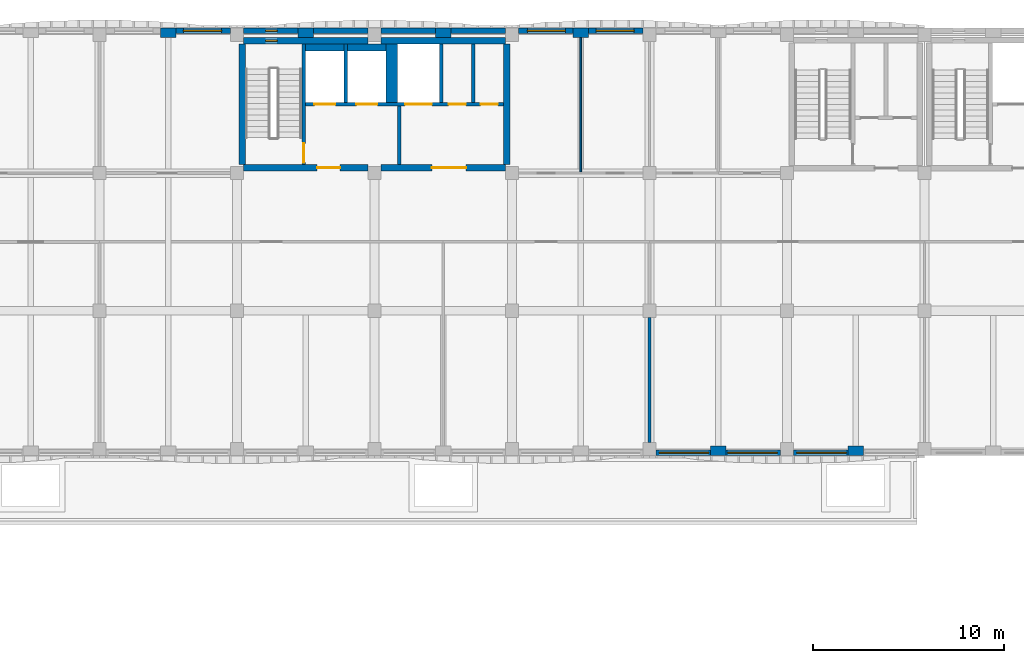
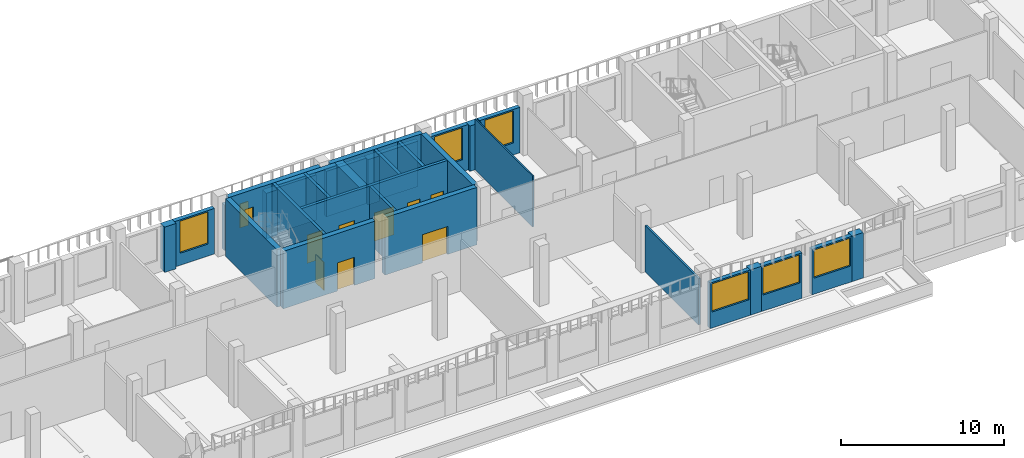
# One storey, part 29 of 59: 33 walls, 8 doors, 8 windows, 16 openings.
"""IFC4 building model written with IfcOpenShell, lengths in metres."""

from ifc_helpers import new_model, si_unit, direction, frame, frame_2d, origin, place, context, subcontext, project, spatial, rectangle, extrude, material, layer, layer_set, type_object, element, fill, save


model = new_model("IFC4")

# Units and contexts
model_context = context("Model", 3, precision=1e-05, world=origin(), true_north=direction((0.0, 1.0)))
body_context = subcontext(model_context, "Body", "Model", "MODEL_VIEW")
ifc_project = project(units=[si_unit("LENGTHUNIT", "METRE"), si_unit("AREAUNIT", "SQUARE_METRE"), si_unit("VOLUMEUNIT", "CUBIC_METRE"), si_unit("PLANEANGLEUNIT", "RADIAN"), si_unit("MASSUNIT", "GRAM", prefix="KILO")], contexts=[model_context])

# Site, building, storey
site_placement = place(None, origin())
site = spatial("IfcSite", under=ifc_project, at=site_placement, CompositionType="ELEMENT")
building_placement = place(site_placement, origin())
building = spatial("IfcBuilding", under=site, at=building_placement, Name="Ussher Court Research Institute", CompositionType="ELEMENT")
storey_placement = place(building_placement, frame((0.0, 0.0, 5.39990234375)))
storey = spatial("IfcBuildingStorey", under=building, at=storey_placement, Name="L01", CompositionType="ELEMENT", Elevation=5.39990234375)

# Wall, opening, window
ifc_material_1 = material(Name="Blockwork with cream render", Category="masonry")
ifc_layer_1 = layer(ifc_material_1, 0.300048828125)
ifc_layer_set_1 = layer_set([ifc_layer_1], Name="Blockwork with cream render")
wall_type_1 = type_object("IfcWallType", Name="External wall 300 cream render", PredefinedType="SOLIDWALL", material=ifc_layer_set_1)
wall_1_placement = place(storey_placement, frame((43.0, 90.64990234375, 0.0), z_axis=(0.0, 0.0, 1.0), x_axis=(1.0, 0.0, 0.0)))
wall_1 = element("IfcWall", 1, at=wall_1_placement, inside=storey, type_object=wall_type_1, Name="External wall EW1 L01", PredefinedType="SOLIDWALL", context=body_context, shape_type="SweptSolid", body=[
    extrude(rectangle(XDim=2.85009765625, YDim=0.300048828125, at=frame_2d((1.425048828125, 0.0))), origin(), (0.0, 0.0, 1.0), 3.400146484375),
])
opening_1_placement = place(wall_1_placement, frame((0.39990234375, 0.0, 0.89990234375)))
opening_1 = element("IfcOpeningElement", 2, at=opening_1_placement, cuts=wall_1, Name="Opening W14", PredefinedType="OPENING", context=body_context, shape_type="SweptSolid", body=[
    extrude(rectangle(XDim=2.0, YDim=2.39990234375, at=frame_2d((1.0, 1.199951171875))), frame((0.0, 0.16015625, 0.0), z_axis=(0.0, -1.0, 0.0), x_axis=(1.0, 0.0, 0.0)), (0.0, 0.0, 1.0), 0.320068359375),
])
ifc_material_2 = material(Name="Bronze anodised aluminium with double glazing", Category="aluminium")
window_type_1 = type_object("IfcWindowType", Name="Seminar and write-up office window 2000x2400", PartitioningType="DOUBLE_PANEL_VERTICAL", PredefinedType="WINDOW", material=ifc_material_2)
window_1_placement = place(opening_1_placement, origin())
window_1 = element("IfcWindow", 3, at=window_1_placement, inside=storey, type_object=window_type_1, Name="Window W14 L01", OverallHeight=2.39990234375, OverallWidth=2.0, PartitioningType="SINGLE_PANEL", PredefinedType="WINDOW", context=body_context, shape_type="SweptSolid", body=[
    extrude(rectangle(XDim=2.0, YDim=2.39990234375, at=frame_2d((1.0, 1.199951171875))), frame((0.0, 0.030029296875, 0.0), z_axis=(0.0, -1.0, 0.0), x_axis=(1.0, 0.0, 0.0)), (0.0, 0.0, 1.0), 0.06005859375),
])
fill(opening_1, window_1)

wall_2_placement = place(storey_placement, frame((60.949951171875, 90.64990234375, 0.0), z_axis=(0.0, 0.0, 1.0), x_axis=(1.0, 0.0, 0.0)))
wall_2 = element("IfcWall", 4, at=wall_2_placement, inside=storey, type_object=wall_type_1, Name="External wall EW1 L01", PredefinedType="SOLIDWALL", context=body_context, shape_type="SweptSolid", body=[
    extrude(rectangle(XDim=2.85009765625, YDim=0.300048828125, at=frame_2d((1.425048828125, 0.0))), origin(), (0.0, 0.0, 1.0), 3.400146484375),
])
opening_2_placement = place(wall_2_placement, frame((0.449951171875, 0.0, 0.89990234375)))
opening_2 = element("IfcOpeningElement", 5, at=opening_2_placement, cuts=wall_2, Name="Opening W14", PredefinedType="OPENING", context=body_context, shape_type="SweptSolid", body=[
    extrude(rectangle(XDim=2.0, YDim=2.39990234375, at=frame_2d((1.0, 1.199951171875))), frame((0.0, 0.16015625, 0.0), z_axis=(0.0, -1.0, 0.0), x_axis=(1.0, 0.0, 0.0)), (0.0, 0.0, 1.0), 0.320068359375),
])
window_2_placement = place(opening_2_placement, origin())
window_2 = element("IfcWindow", 6, at=window_2_placement, inside=storey, type_object=window_type_1, Name="Window W14 L01", OverallHeight=2.39990234375, OverallWidth=2.0, PartitioningType="SINGLE_PANEL", PredefinedType="WINDOW", context=body_context, shape_type="SweptSolid", body=[
    extrude(rectangle(XDim=2.0, YDim=2.39990234375, at=frame_2d((1.0, 1.199951171875))), frame((0.0, 0.030029296875, 0.0), z_axis=(0.0, -1.0, 0.0), x_axis=(1.0, 0.0, 0.0)), (0.0, 0.0, 1.0), 0.06005859375),
])
fill(opening_2, window_2)

wall_3_placement = place(storey_placement, frame((64.60009765625, 90.64990234375, 0.0), z_axis=(0.0, 0.0, 1.0), x_axis=(1.0, 0.0, 0.0)))
wall_3 = element("IfcWall", 7, at=wall_3_placement, inside=storey, type_object=wall_type_1, Name="External wall EW1 L01", PredefinedType="SOLIDWALL", context=body_context, shape_type="SweptSolid", body=[
    extrude(rectangle(XDim=2.849853515625, YDim=0.300048828125, at=frame_2d((1.4248046875, 0.0))), origin(), (0.0, 0.0, 1.0), 3.400146484375),
])
opening_3_placement = place(wall_3_placement, frame((0.39990234375, 0.0, 0.89990234375)))
opening_3 = element("IfcOpeningElement", 8, at=opening_3_placement, cuts=wall_3, Name="Opening W14", PredefinedType="OPENING", context=body_context, shape_type="SweptSolid", body=[
    extrude(rectangle(XDim=2.0, YDim=2.39990234375, at=frame_2d((1.0, 1.199951171875))), frame((0.0, 0.16015625, 0.0), z_axis=(0.0, -1.0, 0.0), x_axis=(1.0, 0.0, 0.0)), (0.0, 0.0, 1.0), 0.320068359375),
])
window_3_placement = place(opening_3_placement, origin())
window_3 = element("IfcWindow", 9, at=window_3_placement, inside=storey, type_object=window_type_1, Name="Window W14 L01", OverallHeight=2.39990234375, OverallWidth=2.0, PartitioningType="SINGLE_PANEL", PredefinedType="WINDOW", context=body_context, shape_type="SweptSolid", body=[
    extrude(rectangle(XDim=2.0, YDim=2.39990234375, at=frame_2d((1.0, 1.199951171875))), frame((0.0, 0.030029296875, 0.0), z_axis=(0.0, -1.0, 0.0), x_axis=(1.0, 0.0, 0.0)), (0.0, 0.0, 1.0), 0.06005859375),
])
fill(opening_3, window_3)

wall_4_placement = place(storey_placement, frame((78.199951171875, 68.550048828125, 0.0), z_axis=(0.0, 0.0, 1.0), x_axis=(-1.0, 0.0, 0.0)))
wall_4 = element("IfcWall", 10, at=wall_4_placement, inside=storey, type_object=wall_type_1, Name="External wall EW1 L01", PredefinedType="SOLIDWALL", context=body_context, shape_type="SweptSolid", body=[
    extrude(rectangle(XDim=2.849853515625, YDim=0.300048828125, at=frame_2d((1.4248046875, 0.0))), origin(), (0.0, 0.0, 1.0), 3.400146484375),
])
opening_4_placement = place(wall_4_placement, frame((0.10009765625, 0.0, 1.199951171875)))
opening_4 = element("IfcOpeningElement", 11, at=opening_4_placement, cuts=wall_4, Name="Opening W08", PredefinedType="OPENING", context=body_context, shape_type="SweptSolid", body=[
    extrude(rectangle(XDim=2.60009765625, YDim=2.10009765625, at=frame_2d((1.300048828125, 1.050048828125))), frame((0.0, 0.16015625, 0.0), z_axis=(0.0, -1.0, 0.0), x_axis=(1.0, 0.0, 0.0)), (0.0, 0.0, 1.0), 0.320068359375),
])
ifc_material_3 = material(Name="Bronze anodised aluminium with double glazing", Category="aluminium")
window_type_2 = type_object("IfcWindowType", Name="Dry laboratory bay window 2600x2100", PartitioningType="DOUBLE_PANEL_VERTICAL", PredefinedType="WINDOW", material=ifc_material_3)
window_4_placement = place(opening_4_placement, origin())
window_4 = element("IfcWindow", 12, at=window_4_placement, inside=storey, type_object=window_type_2, Name="Window W08 L01", OverallHeight=2.10009765625, OverallWidth=2.60009765625, PartitioningType="SINGLE_PANEL", PredefinedType="WINDOW", context=body_context, shape_type="SweptSolid", body=[
    extrude(rectangle(XDim=2.60009765625, YDim=2.10009765625, at=frame_2d((1.300048828125, 1.050048828125))), frame((0.0, 0.030029296875, 0.0), z_axis=(0.0, -1.0, 0.0), x_axis=(1.0, 0.0, 0.0)), (0.0, 0.0, 1.0), 0.06005859375),
])
fill(opening_4, window_4)

wall_5_placement = place(storey_placement, frame((74.64990234375, 68.550048828125, 0.0), z_axis=(0.0, 0.0, 1.0), x_axis=(-1.0, 0.0, 0.0)))
wall_5 = element("IfcWall", 13, at=wall_5_placement, inside=storey, type_object=wall_type_1, Name="External wall EW1 L01", PredefinedType="SOLIDWALL", context=body_context, shape_type="SweptSolid", body=[
    extrude(rectangle(XDim=2.849853515625, YDim=0.300048828125, at=frame_2d((1.4248046875, 0.0))), origin(), (0.0, 0.0, 1.0), 3.400146484375),
])
opening_5_placement = place(wall_5_placement, frame((0.14990234375, 0.0, 1.199951171875)))
opening_5 = element("IfcOpeningElement", 14, at=opening_5_placement, cuts=wall_5, Name="Opening W08", PredefinedType="OPENING", context=body_context, shape_type="SweptSolid", body=[
    extrude(rectangle(XDim=2.60009765625, YDim=2.10009765625, at=frame_2d((1.300048828125, 1.050048828125))), frame((0.0, 0.16015625, 0.0), z_axis=(0.0, -1.0, 0.0), x_axis=(1.0, 0.0, 0.0)), (0.0, 0.0, 1.0), 0.320068359375),
])
window_5_placement = place(opening_5_placement, origin())
window_5 = element("IfcWindow", 15, at=window_5_placement, inside=storey, type_object=window_type_2, Name="Window W08 L01", OverallHeight=2.10009765625, OverallWidth=2.60009765625, PartitioningType="SINGLE_PANEL", PredefinedType="WINDOW", context=body_context, shape_type="SweptSolid", body=[
    extrude(rectangle(XDim=2.60009765625, YDim=2.10009765625, at=frame_2d((1.300048828125, 1.050048828125))), frame((0.0, 0.030029296875, 0.0), z_axis=(0.0, -1.0, 0.0), x_axis=(1.0, 0.0, 0.0)), (0.0, 0.0, 1.0), 0.06005859375),
])
fill(opening_5, window_5)

wall_6_placement = place(storey_placement, frame((71.0, 68.550048828125, 0.0), z_axis=(0.0, 0.0, 1.0), x_axis=(-1.0, 0.0, 0.0)))
wall_6 = element("IfcWall", 16, at=wall_6_placement, inside=storey, type_object=wall_type_1, Name="External wall EW1 L01", PredefinedType="SOLIDWALL", context=body_context, shape_type="SweptSolid", body=[
    extrude(rectangle(XDim=2.85009765625, YDim=0.300048828125, at=frame_2d((1.425048828125, 0.0))), origin(), (0.0, 0.0, 1.0), 3.400146484375),
])
opening_6_placement = place(wall_6_placement, frame((0.10009765625, 0.0, 1.199951171875)))
opening_6 = element("IfcOpeningElement", 17, at=opening_6_placement, cuts=wall_6, Name="Opening W08", PredefinedType="OPENING", context=body_context, shape_type="SweptSolid", body=[
    extrude(rectangle(XDim=2.60009765625, YDim=2.10009765625, at=frame_2d((1.300048828125, 1.050048828125))), frame((0.0, 0.16015625, 0.0), z_axis=(0.0, -1.0, 0.0), x_axis=(1.0, 0.0, 0.0)), (0.0, 0.0, 1.0), 0.320068359375),
])
window_6_placement = place(opening_6_placement, origin())
window_6 = element("IfcWindow", 18, at=window_6_placement, inside=storey, type_object=window_type_2, Name="Window W08 L01", OverallHeight=2.10009765625, OverallWidth=2.60009765625, PartitioningType="SINGLE_PANEL", PredefinedType="WINDOW", context=body_context, shape_type="SweptSolid", body=[
    extrude(rectangle(XDim=2.60009765625, YDim=2.10009765625, at=frame_2d((1.300048828125, 1.050048828125))), frame((0.0, 0.030029296875, 0.0), z_axis=(0.0, -1.0, 0.0), x_axis=(1.0, 0.0, 0.0)), (0.0, 0.0, 1.0), 0.06005859375),
])
fill(opening_6, window_6)

ifc_material_4 = material(Name="Limestone facing on blockwork", Category="masonry")
ifc_layer_2 = layer(ifc_material_4, 0.300048828125)
ifc_layer_set_2 = layer_set([ifc_layer_2], Name="Limestone facing on blockwork")
wall_type_2 = type_object("IfcWallType", Name="External wall 300 stair enclosure", PredefinedType="SOLIDWALL", material=ifc_layer_set_2)
wall_7_placement = place(storey_placement, frame((46.550048828125, 90.64990234375, 0.0), z_axis=(0.0, 0.0, 1.0), x_axis=(1.0, 0.0, 0.0)))
wall_7 = element("IfcWall", 19, at=wall_7_placement, inside=storey, type_object=wall_type_2, Name="External wall EW5 L01", PredefinedType="SOLIDWALL", context=body_context, shape_type="SweptSolid", body=[
    extrude(rectangle(XDim=2.849853515625, YDim=0.300048828125, at=frame_2d((1.4248046875, 0.0))), origin(), (0.0, 0.0, 1.0), 3.400146484375),
])
opening_7_placement = place(wall_7_placement, frame((1.14990234375, 0.0, 1.199951171875)))
opening_7 = element("IfcOpeningElement", 20, at=opening_7_placement, cuts=wall_7, Name="Opening W25", PredefinedType="OPENING", context=body_context, shape_type="SweptSolid", body=[
    extrude(rectangle(XDim=0.60009765625, YDim=1.800048828125, at=frame_2d((0.300048828125, 0.89990234375))), frame((0.0, 0.16015625, 0.0), z_axis=(0.0, -1.0, 0.0), x_axis=(1.0, 0.0, 0.0)), (0.0, 0.0, 1.0), 0.320068359375),
])
ifc_material_5 = material(Name="Bronze anodised aluminium with double glazing", Category="aluminium")
window_type_3 = type_object("IfcWindowType", Name="Stair light slot window 600x1800 fire-resisting glazing", PartitioningType="SINGLE_PANEL", PredefinedType="WINDOW", material=ifc_material_5)
window_7_placement = place(opening_7_placement, origin())
window_7 = element("IfcWindow", 21, at=window_7_placement, inside=storey, type_object=window_type_3, Name="Window W25 L01", OverallHeight=1.800048828125, OverallWidth=0.60009765625, PartitioningType="SINGLE_PANEL", PredefinedType="WINDOW", context=body_context, shape_type="SweptSolid", body=[
    extrude(rectangle(XDim=0.60009765625, YDim=1.800048828125, at=frame_2d((0.300048828125, 0.89990234375))), frame((0.0, 0.030029296875, 0.0), z_axis=(0.0, -1.0, 0.0), x_axis=(1.0, 0.0, 0.0)), (0.0, 0.0, 1.0), 0.06005859375),
])
fill(opening_7, window_7)

# Walls
for number, where, z_axis, x_axis, name in (
    (22, (50.199951171875, 90.64990234375, 0.0), (0.0, 0.0, 1.0), (1.0, 0.0, 0.0), "External wall EW5 L01"),
    (23, (53.75, 90.64990234375, 0.0), (0.0, 0.0, 1.0), (1.0, 0.0, 0.0), "External wall EW5 L01"),
    (24, (57.39990234375, 90.64990234375, 0.0), (0.0, 0.0, 1.0), (1.0, 0.0, 0.0), "External wall EW5 L01"),
):
    element("IfcWall", number, at=place(storey_placement, frame(where, z_axis=z_axis, x_axis=x_axis)), inside=storey, type_object=wall_type_2, Name=name, PredefinedType="SOLIDWALL", context=body_context, shape_type="SweptSolid", body=[
        extrude(rectangle(XDim=2.85009765625, YDim=0.300048828125, at=frame_2d((1.425048828125, 0.0))), origin(), (0.0, 0.0, 1.0), 3.400146484375),
    ])
ifc_material_6 = material(Name="Plastered blockwork", Category="masonry")
ifc_layer_3 = layer(ifc_material_6, 0.139892578125)
ifc_layer_set_3 = layer_set([ifc_layer_3], Name="Plastered blockwork")
wall_type_3 = type_object("IfcWallType", Name="Laboratory blockwork partition 140", PredefinedType="PARTITIONING", material=ifc_layer_set_3)
wall_8_placement = place(storey_placement, frame((67.800048828125, 69.10009765625, 0.0), z_axis=(0.0, 0.0, 1.0), x_axis=(0.0, 1.0, 0.0)))
element("IfcWall", 25, at=wall_8_placement, inside=storey, type_object=wall_type_3, Name="Partition", PredefinedType="PARTITIONING", context=body_context, shape_type="SweptSolid", body=[
    extrude(rectangle(XDim=6.5498046875, YDim=0.139892578125, at=frame_2d((3.27490234375, 0.0))), origin(), (0.0, 0.0, 1.0), 3.47021484375),
])
ifc_material_7 = material(Name="Blockwork with cream render", Category="masonry")
ifc_layer_4 = layer(ifc_material_7, 0.5)
ifc_layer_set_4 = layer_set([ifc_layer_4], Name="Blockwork with cream render")
wall_type_4 = type_object("IfcWallType", Name="Pier 800x500 cream render", PredefinedType="SOLIDWALL", material=ifc_layer_set_4)
for number, where, z_axis, x_axis, name in (
    (26, (42.199951171875, 90.550048828125, 0.0), (0.0, 0.0, 1.0), (1.0, 0.0, 0.0), "Pier PR1 L01"),
    (27, (49.39990234375, 90.550048828125, 0.0), (0.0, 0.0, 1.0), (1.0, 0.0, 0.0), "Pier PR1 L01"),
):
    element("IfcWall", number, at=place(storey_placement, frame(where, z_axis=z_axis, x_axis=x_axis)), inside=storey, type_object=wall_type_4, Name=name, PredefinedType="SOLIDWALL", context=body_context, shape_type="SweptSolid", body=[
        extrude(rectangle(XDim=0.800048828125, YDim=0.5, at=frame_2d((0.39990234375, 0.0))), origin(), (0.0, 0.0, 1.0), 3.400146484375),
    ])
wall_9_placement = place(storey_placement, frame((56.60009765625, 90.550048828125, 0.0), z_axis=(0.0, 0.0, 1.0), x_axis=(1.0, 0.0, 0.0)))
element("IfcWall", 28, at=wall_9_placement, inside=storey, type_object=wall_type_4, Name="Pier PR1 L01", PredefinedType="SOLIDWALL", context=body_context, shape_type="SweptSolid", body=[
    extrude(rectangle(XDim=0.7998046875, YDim=0.5, at=frame_2d((0.39990234375, 0.0))), origin(), (0.0, 0.0, 1.0), 3.400146484375),
])
for number, where, z_axis, x_axis, name in (
    (29, (63.800048828125, 90.550048828125, 0.0), (0.0, 0.0, 1.0), (1.0, 0.0, 0.0), "Pier PR1 L01"),
    (30, (79.0, 68.64990234375, 0.0), (0.0, 0.0, 1.0), (-1.0, 0.0, 0.0), "Pier PR1 L01"),
    (31, (71.800048828125, 68.64990234375, 0.0), (0.0, 0.0, 1.0), (-1.0, 0.0, 0.0), "Pier PR1 L01"),
):
    element("IfcWall", number, at=place(storey_placement, frame(where, z_axis=z_axis, x_axis=x_axis)), inside=storey, type_object=wall_type_4, Name=name, PredefinedType="SOLIDWALL", context=body_context, shape_type="SweptSolid", body=[
        extrude(rectangle(XDim=0.800048828125, YDim=0.5, at=frame_2d((0.39990234375, 0.0))), origin(), (0.0, 0.0, 1.0), 3.400146484375),
    ])

# Wall, opening, door
ifc_material_8 = material(Name="Concrete C35/45", Category="concrete")
ifc_layer_5 = layer(ifc_material_8, 0.199951171875)
ifc_layer_set_5 = layer_set([ifc_layer_5], Name="Concrete C35/45")
wall_type_5 = type_object("IfcWallType", Name="RC core wall 200", PredefinedType="SHEAR", material=ifc_layer_set_5)
wall_10_placement = place(storey_placement, frame((49.699951171875, 83.64990234375, 0.0), z_axis=(0.0, 0.0, 1.0), x_axis=(0.0, 1.0, 0.0)))
wall_10 = element("IfcWall", 32, at=wall_10_placement, inside=storey, type_object=wall_type_5, Name="Core wall D2", PredefinedType="SHEAR", context=body_context, shape_type="SweptSolid", body=[
    extrude(rectangle(XDim=6.300048828125, YDim=0.199951171875, at=frame_2d((3.14990234375, 0.0))), origin(), (0.0, 0.0, 1.0), 4.300048828125),
])
opening_8_placement = place(wall_10_placement, frame((0.10009765625, 0.0, 0.0)))
opening_8 = element("IfcOpeningElement", 33, at=opening_8_placement, cuts=wall_10, Name="Opening D01033", PredefinedType="OPENING", context=body_context, shape_type="SweptSolid", body=[
    extrude(rectangle(XDim=1.0, YDim=2.10009765625, at=frame_2d((0.5, 1.050048828125))), frame((0.0, 0.10986328125, 0.0), z_axis=(0.0, -1.0, 0.0), x_axis=(1.0, 0.0, 0.0)), (0.0, 0.0, 1.0), 0.219970703125),
])
ifc_material_9 = material(Name="Painted steel faced fire door", Category="steel")
door_type_1 = type_object("IfcDoorType", Name="Fire door 1000x2100 FD60", OperationType="NOTDEFINED", PredefinedType="DOOR", material=ifc_material_9)
door_1_placement = place(opening_8_placement, origin())
door_1 = element("IfcDoor", 34, at=door_1_placement, inside=storey, type_object=door_type_1, Name="Door D01033", OperationType="SINGLE_SWING_LEFT", OverallHeight=2.10009765625, OverallWidth=1.0, PredefinedType="DOOR", context=body_context, shape_type="SweptSolid", body=[
    extrude(rectangle(XDim=1.0, YDim=2.10009765625, at=frame_2d((0.5, 1.050048828125))), frame((0.0, 0.02490234375, 0.0), z_axis=(0.0, -1.0, 0.0), x_axis=(1.0, 0.0, 0.0)), (0.0, 0.0, 1.0), 0.050048828125),
])
fill(opening_8, door_1)

# Wall
wall_11_placement = place(storey_placement, frame((54.699951171875, 83.64990234375, 0.0), z_axis=(0.0, 0.0, 1.0), x_axis=(0.0, 1.0, 0.0)))
element("IfcWall", 35, at=wall_11_placement, inside=storey, type_object=wall_type_5, Name="Core wall D2", PredefinedType="SHEAR", context=body_context, shape_type="SweptSolid", body=[
    extrude(rectangle(XDim=3.050048828125, YDim=0.199951171875, at=frame_2d((1.52490234375, 0.0))), origin(), (0.0, 0.0, 1.0), 4.300048828125),
])

# Wall, openings, doors
wall_12_placement = place(storey_placement, frame((60.14990234375, 86.800048828125, 0.0), z_axis=(0.0, 0.0, 1.0), x_axis=(-1.0, 0.0, 0.0)))
wall_12 = element("IfcWall", 36, at=wall_12_placement, inside=storey, type_object=wall_type_5, Name="Core wall D2", PredefinedType="SHEAR", context=body_context, shape_type="SweptSolid", body=[
    extrude(rectangle(XDim=10.349853515625, YDim=0.199951171875, at=frame_2d((5.1748046875, 0.0))), origin(), (0.0, 0.0, 1.0), 4.300048828125),
])
opening_9_placement = place(wall_12_placement, frame((8.800048828125, 0.0, 0.0)))
opening_9 = element("IfcOpeningElement", 37, at=opening_9_placement, cuts=wall_12, Name="Opening LD19", PredefinedType="OPENING", context=body_context, shape_type="SweptSolid", body=[
    extrude(rectangle(XDim=1.10009765625, YDim=2.10009765625, at=frame_2d((0.550048828125, 1.050048828125))), frame((0.0, 0.10986328125, 0.0), z_axis=(0.0, -1.0, 0.0), x_axis=(1.0, 0.0, 0.0)), (0.0, 0.0, 1.0), 0.219970703125),
])
opening_10_placement = place(wall_12_placement, frame((6.60009765625, 0.0, 0.0)))
opening_10 = element("IfcOpeningElement", 38, at=opening_10_placement, cuts=wall_12, Name="Opening LD20", PredefinedType="OPENING", context=body_context, shape_type="SweptSolid", body=[
    extrude(rectangle(XDim=1.10009765625, YDim=2.10009765625, at=frame_2d((0.550048828125, 1.050048828125))), frame((0.0, 0.10986328125, 0.0), z_axis=(0.0, -1.0, 0.0), x_axis=(1.0, 0.0, 0.0)), (0.0, 0.0, 1.0), 0.219970703125),
])
opening_11_placement = place(wall_12_placement, frame((3.75, 0.0, 0.0)))
opening_11 = element("IfcOpeningElement", 39, at=opening_11_placement, cuts=wall_12, Name="Opening LD21", PredefinedType="OPENING", context=body_context, shape_type="SweptSolid", body=[
    extrude(rectangle(XDim=1.39990234375, YDim=2.10009765625, at=frame_2d((0.699951171875, 1.050048828125))), frame((0.0, 0.10986328125, 0.0), z_axis=(0.0, -1.0, 0.0), x_axis=(1.0, 0.0, 0.0)), (0.0, 0.0, 1.0), 0.219970703125),
])
opening_12_placement = place(wall_12_placement, frame((1.96240234375, 0.0, 0.0)))
opening_12 = element("IfcOpeningElement", 40, at=opening_12_placement, cuts=wall_12, Name="Opening D01036", PredefinedType="OPENING", context=body_context, shape_type="SweptSolid", body=[
    extrude(rectangle(XDim=0.89990234375, YDim=2.10009765625, at=frame_2d((0.449951171875, 1.050048828125))), frame((0.0, 0.10986328125, 0.0), z_axis=(0.0, -1.0, 0.0), x_axis=(1.0, 0.0, 0.0)), (0.0, 0.0, 1.0), 0.219970703125),
])
opening_13_placement = place(wall_12_placement, frame((0.28759765625, 0.0, 0.0)))
opening_13 = element("IfcOpeningElement", 41, at=opening_13_placement, cuts=wall_12, Name="Opening D01037", PredefinedType="OPENING", context=body_context, shape_type="SweptSolid", body=[
    extrude(rectangle(XDim=0.89990234375, YDim=2.10009765625, at=frame_2d((0.449951171875, 1.050048828125))), frame((0.0, 0.10986328125, 0.0), z_axis=(0.0, -1.0, 0.0), x_axis=(1.0, 0.0, 0.0)), (0.0, 0.0, 1.0), 0.219970703125),
])
ifc_material_10 = material(Name="Painted steel faced fire door", Category="steel")
door_type_2 = type_object("IfcDoorType", Name="Fire door 900x2100 FD60", OperationType="NOTDEFINED", PredefinedType="DOOR", material=ifc_material_10)
door_2_placement = place(opening_12_placement, origin())
door_2 = element("IfcDoor", 42, at=door_2_placement, inside=storey, type_object=door_type_2, Name="Door D01036", OperationType="SINGLE_SWING_LEFT", OverallHeight=2.10009765625, OverallWidth=0.89990234375, PredefinedType="DOOR", context=body_context, shape_type="SweptSolid", body=[
    extrude(rectangle(XDim=0.89990234375, YDim=2.10009765625, at=frame_2d((0.449951171875, 1.050048828125))), frame((0.0, 0.02490234375, 0.0), z_axis=(0.0, -1.0, 0.0), x_axis=(1.0, 0.0, 0.0)), (0.0, 0.0, 1.0), 0.050048828125),
])
fill(opening_12, door_2)
door_3_placement = place(opening_13_placement, origin())
door_3 = element("IfcDoor", 43, at=door_3_placement, inside=storey, type_object=door_type_2, Name="Door D01037", OperationType="SINGLE_SWING_LEFT", OverallHeight=2.10009765625, OverallWidth=0.89990234375, PredefinedType="DOOR", context=body_context, shape_type="SweptSolid", body=[
    extrude(rectangle(XDim=0.89990234375, YDim=2.10009765625, at=frame_2d((0.449951171875, 1.050048828125))), frame((0.0, 0.02490234375, 0.0), z_axis=(0.0, -1.0, 0.0), x_axis=(1.0, 0.0, 0.0)), (0.0, 0.0, 1.0), 0.050048828125),
])
fill(opening_13, door_3)
ifc_material_11 = material(Name="Stainless steel lift door", Category="steel")
door_type_3 = type_object("IfcDoorType", Name="Lift landing door 1100x2100 sliding", OperationType="DOUBLE_DOOR_SLIDING", PredefinedType="DOOR", material=ifc_material_11)
door_4_placement = place(opening_9_placement, origin())
door_4 = element("IfcDoor", 44, at=door_4_placement, inside=storey, type_object=door_type_3, Name="Landing door D2-1 L01", OperationType="DOUBLE_DOOR_SLIDING", OverallHeight=2.10009765625, OverallWidth=1.10009765625, PredefinedType="DOOR", context=body_context, shape_type="SweptSolid", body=[
    extrude(rectangle(XDim=1.10009765625, YDim=2.10009765625, at=frame_2d((0.550048828125, 1.050048828125))), frame((0.0, 0.02490234375, 0.0), z_axis=(0.0, -1.0, 0.0), x_axis=(1.0, 0.0, 0.0)), (0.0, 0.0, 1.0), 0.050048828125),
])
fill(opening_9, door_4)
door_5_placement = place(opening_10_placement, origin())
door_5 = element("IfcDoor", 45, at=door_5_placement, inside=storey, type_object=door_type_3, Name="Landing door D2-2 L01", OperationType="DOUBLE_DOOR_SLIDING", OverallHeight=2.10009765625, OverallWidth=1.10009765625, PredefinedType="DOOR", context=body_context, shape_type="SweptSolid", body=[
    extrude(rectangle(XDim=1.10009765625, YDim=2.10009765625, at=frame_2d((0.550048828125, 1.050048828125))), frame((0.0, 0.02490234375, 0.0), z_axis=(0.0, -1.0, 0.0), x_axis=(1.0, 0.0, 0.0)), (0.0, 0.0, 1.0), 0.050048828125),
])
fill(opening_10, door_5)
ifc_material_12 = material(Name="Stainless steel lift door", Category="steel")
door_type_4 = type_object("IfcDoorType", Name="Lift landing door 1400x2100 sliding", OperationType="DOUBLE_DOOR_SLIDING", PredefinedType="DOOR", material=ifc_material_12)
door_6_placement = place(opening_11_placement, origin())
door_6 = element("IfcDoor", 46, at=door_6_placement, inside=storey, type_object=door_type_4, Name="Landing door D2-3 L01", OperationType="DOUBLE_DOOR_SLIDING", OverallHeight=2.10009765625, OverallWidth=1.39990234375, PredefinedType="DOOR", context=body_context, shape_type="SweptSolid", body=[
    extrude(rectangle(XDim=1.39990234375, YDim=2.10009765625, at=frame_2d((0.699951171875, 1.050048828125))), frame((0.0, 0.02490234375, 0.0), z_axis=(0.0, -1.0, 0.0), x_axis=(1.0, 0.0, 0.0)), (0.0, 0.0, 1.0), 0.050048828125),
])
fill(opening_11, door_6)

# Walls
for number, where, z_axis, x_axis, name in (
    (47, (51.89990234375, 86.89990234375, 0.0), (0.0, 0.0, 1.0), (0.0, 1.0, 0.0), "Core wall D2"),
    (48, (56.89990234375, 86.89990234375, 0.0), (0.0, 0.0, 1.0), (0.0, 1.0, 0.0), "Core wall D2"),
    (49, (58.574951171875, 86.89990234375, 0.0), (0.0, 0.0, 1.0), (0.0, 1.0, 0.0), "Core wall D2"),
):
    element("IfcWall", number, at=place(storey_placement, frame(where, z_axis=z_axis, x_axis=x_axis)), inside=storey, type_object=wall_type_5, Name=name, PredefinedType="SHEAR", context=body_context, shape_type="SweptSolid", body=[
        extrude(rectangle(XDim=3.050048828125, YDim=0.199951171875, at=frame_2d((1.52490234375, 0.0))), origin(), (0.0, 0.0, 1.0), 4.300048828125),
    ])

# Wall, opening, door
ifc_material_13 = material(Name="Concrete C35/45", Category="concrete")
ifc_layer_6 = layer(ifc_material_13, 0.35009765625)
ifc_layer_set_6 = layer_set([ifc_layer_6], Name="Concrete C35/45")
wall_type_6 = type_object("IfcWallType", Name="RC core wall 350", PredefinedType="SHEAR", material=ifc_layer_set_6)
wall_13_placement = place(storey_placement, frame((46.550048828125, 83.47509765625, 0.0), z_axis=(0.0, 0.0, 1.0), x_axis=(1.0, 0.0, 0.0)))
wall_13 = element("IfcWall", 50, at=wall_13_placement, inside=storey, type_object=wall_type_6, Name="Core wall D2", PredefinedType="SHEAR", context=body_context, shape_type="SweptSolid", body=[
    extrude(rectangle(XDim=6.5, YDim=0.35009765625, at=frame_2d((3.25, 0.0))), origin(), (0.0, 0.0, 1.0), 4.300048828125),
])
opening_14_placement = place(wall_13_placement, frame((3.85009765625, 0.0, 0.0)))
opening_14 = element("IfcOpeningElement", 51, at=opening_14_placement, cuts=wall_13, Name="Opening D01034", PredefinedType="OPENING", context=body_context, shape_type="SweptSolid", body=[
    extrude(rectangle(XDim=1.199951171875, YDim=2.10009765625, at=frame_2d((0.60009765625, 1.050048828125))), frame((0.0, 0.18505859375, 0.0), z_axis=(0.0, -1.0, 0.0), x_axis=(1.0, 0.0, 0.0)), (0.0, 0.0, 1.0), 0.3701171875),
])
ifc_material_14 = material(Name="Painted steel faced fire door", Category="steel")
door_type_5 = type_object("IfcDoorType", Name="Fire door 1200x2100 FD60", OperationType="NOTDEFINED", PredefinedType="DOOR", material=ifc_material_14)
door_7_placement = place(opening_14_placement, origin())
door_7 = element("IfcDoor", 52, at=door_7_placement, inside=storey, type_object=door_type_5, Name="Door D01034", OperationType="SINGLE_SWING_RIGHT", OverallHeight=2.10009765625, OverallWidth=1.199951171875, PredefinedType="DOOR", context=body_context, shape_type="SweptSolid", body=[
    extrude(rectangle(XDim=1.199951171875, YDim=2.10009765625, at=frame_2d((0.60009765625, 1.050048828125))), frame((0.0, 0.02490234375, 0.0), z_axis=(0.0, -1.0, 0.0), x_axis=(1.0, 0.0, 0.0)), (0.0, 0.0, 1.0), 0.050048828125),
])
fill(opening_14, door_7)

wall_14_placement = place(storey_placement, frame((53.75, 83.47509765625, 0.0), z_axis=(0.0, 0.0, 1.0), x_axis=(1.0, 0.0, 0.0)))
wall_14 = element("IfcWall", 53, at=wall_14_placement, inside=storey, type_object=wall_type_6, Name="Core wall D2", PredefinedType="SHEAR", context=body_context, shape_type="SweptSolid", body=[
    extrude(rectangle(XDim=6.5, YDim=0.35009765625, at=frame_2d((3.25, 0.0))), origin(), (0.0, 0.0, 1.0), 4.300048828125),
])
opening_15_placement = place(wall_14_placement, frame((2.64990234375, 0.0, 0.0)))
opening_15 = element("IfcOpeningElement", 54, at=opening_15_placement, cuts=wall_14, Name="Opening D01035", PredefinedType="OPENING", context=body_context, shape_type="SweptSolid", body=[
    extrude(rectangle(XDim=1.800048828125, YDim=2.10009765625, at=frame_2d((0.89990234375, 1.050048828125))), frame((0.0, 0.18505859375, 0.0), z_axis=(0.0, -1.0, 0.0), x_axis=(1.0, 0.0, 0.0)), (0.0, 0.0, 1.0), 0.3701171875),
])
ifc_material_15 = material(Name="Painted steel faced fire door", Category="steel")
door_type_6 = type_object("IfcDoorType", Name="Fire door 1800x2100 FD60 double leaf", OperationType="DOUBLE_DOOR_SINGLE_SWING", PredefinedType="DOOR", material=ifc_material_15)
door_8_placement = place(opening_15_placement, origin())
door_8 = element("IfcDoor", 55, at=door_8_placement, inside=storey, type_object=door_type_6, Name="Door D01035", OperationType="SINGLE_SWING_LEFT", OverallHeight=2.10009765625, OverallWidth=1.800048828125, PredefinedType="DOOR", context=body_context, shape_type="SweptSolid", body=[
    extrude(rectangle(XDim=1.800048828125, YDim=2.10009765625, at=frame_2d((0.89990234375, 1.050048828125))), frame((0.0, 0.02490234375, 0.0), z_axis=(0.0, -1.0, 0.0), x_axis=(1.0, 0.0, 0.0)), (0.0, 0.0, 1.0), 0.050048828125),
])
fill(opening_15, door_8)

# Wall, opening, window
wall_15_placement = place(storey_placement, frame((46.550048828125, 90.125, 0.0), z_axis=(0.0, 0.0, 1.0), x_axis=(1.0, 0.0, 0.0)))
wall_15 = element("IfcWall", 56, at=wall_15_placement, inside=storey, type_object=wall_type_6, Name="Core wall D2", PredefinedType="SHEAR", context=body_context, shape_type="SweptSolid", body=[
    extrude(rectangle(XDim=6.5, YDim=0.35009765625, at=frame_2d((3.25, 0.0))), origin(), (0.0, 0.0, 1.0), 4.300048828125),
])
opening_16_placement = place(wall_15_placement, frame((1.14990234375, 0.0, 1.199951171875)))
opening_16 = element("IfcOpeningElement", 57, at=opening_16_placement, cuts=wall_15, Name="Opening W25", PredefinedType="OPENING", context=body_context, shape_type="SweptSolid", body=[
    extrude(rectangle(XDim=0.60009765625, YDim=1.800048828125, at=frame_2d((0.300048828125, 0.89990234375))), frame((0.0, 0.18505859375, 0.0), z_axis=(0.0, -1.0, 0.0), x_axis=(1.0, 0.0, 0.0)), (0.0, 0.0, 1.0), 0.3701171875),
])
window_8_placement = place(opening_16_placement, origin())
window_8 = element("IfcWindow", 58, at=window_8_placement, inside=storey, type_object=window_type_3, Name="Window stair light D2 L01", OverallHeight=1.800048828125, OverallWidth=0.60009765625, PartitioningType="SINGLE_PANEL", PredefinedType="WINDOW", context=body_context, shape_type="SweptSolid", body=[
    extrude(rectangle(XDim=0.60009765625, YDim=1.800048828125, at=frame_2d((0.300048828125, 0.89990234375))), frame((0.0, 0.030029296875, 0.0), z_axis=(0.0, -1.0, 0.0), x_axis=(1.0, 0.0, 0.0)), (0.0, 0.0, 1.0), 0.06005859375),
])
fill(opening_16, window_8)

# Walls
wall_16_placement = place(storey_placement, frame((53.75, 90.125, 0.0), z_axis=(0.0, 0.0, 1.0), x_axis=(1.0, 0.0, 0.0)))
element("IfcWall", 59, at=wall_16_placement, inside=storey, type_object=wall_type_6, Name="Core wall D2", PredefinedType="SHEAR", context=body_context, shape_type="SweptSolid", body=[
    extrude(rectangle(XDim=6.5, YDim=0.35009765625, at=frame_2d((3.25, 0.0))), origin(), (0.0, 0.0, 1.0), 4.300048828125),
])
for number, where, z_axis, x_axis, name in (
    (60, (46.47509765625, 83.64990234375, 0.0), (0.0, 0.0, 1.0), (0.0, 1.0, 0.0), "Core wall D2"),
    (61, (60.324951171875, 83.64990234375, 0.0), (0.0, 0.0, 1.0), (0.0, 1.0, 0.0), "Core wall D2"),
):
    element("IfcWall", number, at=place(storey_placement, frame(where, z_axis=z_axis, x_axis=x_axis)), inside=storey, type_object=wall_type_6, Name=name, PredefinedType="SHEAR", context=body_context, shape_type="SweptSolid", body=[
        extrude(rectangle(XDim=6.300048828125, YDim=0.35009765625, at=frame_2d((3.14990234375, 0.0))), origin(), (0.0, 0.0, 1.0), 4.300048828125),
    ])
for number, where, z_axis, x_axis, name in (
    (62, (49.800048828125, 89.77490234375, 0.0), (0.0, 0.0, 1.0), (1.0, 0.0, 0.0), "Core wall D2"),
    (63, (52.0, 89.77490234375, 0.0), (0.0, 0.0, 1.0), (1.0, 0.0, 0.0), "Core wall D2"),
):
    element("IfcWall", number, at=place(storey_placement, frame(where, z_axis=z_axis, x_axis=x_axis)), inside=storey, type_object=wall_type_6, Name=name, PredefinedType="SHEAR", context=body_context, shape_type="SweptSolid", body=[
        extrude(rectangle(XDim=2.0, YDim=0.35009765625, at=frame_2d((1.0, 0.0))), origin(), (0.0, 0.0, 1.0), 4.300048828125),
    ])
ifc_material_16 = material(Name="Concrete C35/45", Category="concrete")
ifc_layer_7 = layer(ifc_material_16, 0.60009765625)
ifc_layer_set_7 = layer_set([ifc_layer_7], Name="Concrete C35/45")
wall_type_7 = type_object("IfcWallType", Name="RC core wall 600", PredefinedType="SHEAR", material=ifc_layer_set_7)
wall_17_placement = place(storey_placement, frame((54.300048828125, 86.89990234375, 0.0), z_axis=(0.0, 0.0, 1.0), x_axis=(0.0, 1.0, 0.0)))
element("IfcWall", 64, at=wall_17_placement, inside=storey, type_object=wall_type_7, Name="Core wall D2", PredefinedType="SHEAR", context=body_context, shape_type="SweptSolid", body=[
    extrude(rectangle(XDim=3.050048828125, YDim=0.60009765625, at=frame_2d((1.52490234375, 0.0))), origin(), (0.0, 0.0, 1.0), 4.300048828125),
])
ifc_material_17 = material(Name="Moisture-resistant board on steel studs", Category="steel")
ifc_layer_8 = layer(ifc_material_17, 0.090087890625)
ifc_layer_set_8 = layer_set([ifc_layer_8], Name="Moisture-resistant board on steel studs")
wall_type_8 = type_object("IfcWallType", Name="WC lining partition 90", PredefinedType="PARTITIONING", material=ifc_layer_set_8)
wall_18_placement = place(storey_placement, frame((64.199951171875, 83.2451171875, 0.0), z_axis=(0.0, 0.0, 1.0), x_axis=(0.0, 1.0, 0.0)))
element("IfcWall", 65, at=wall_18_placement, inside=storey, type_object=wall_type_8, Name="Partition", PredefinedType="PARTITIONING", context=body_context, shape_type="SweptSolid", body=[
    extrude(rectangle(XDim=7.054931640625, YDim=0.090087890625, at=frame_2d((3.52734375, 0.0))), origin(), (0.0, 0.0, 1.0), 3.820068359375),
])

save(model, "model.ifc")
